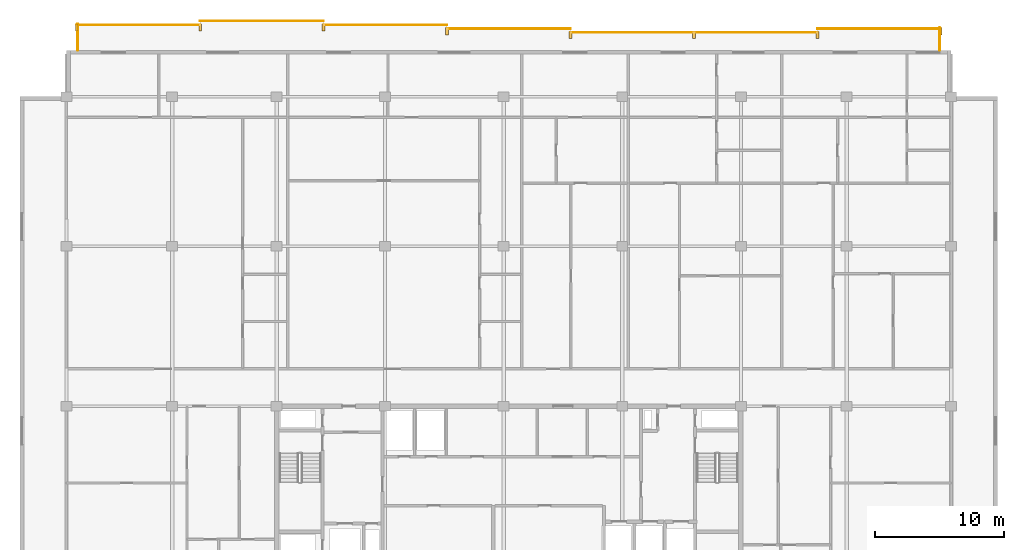
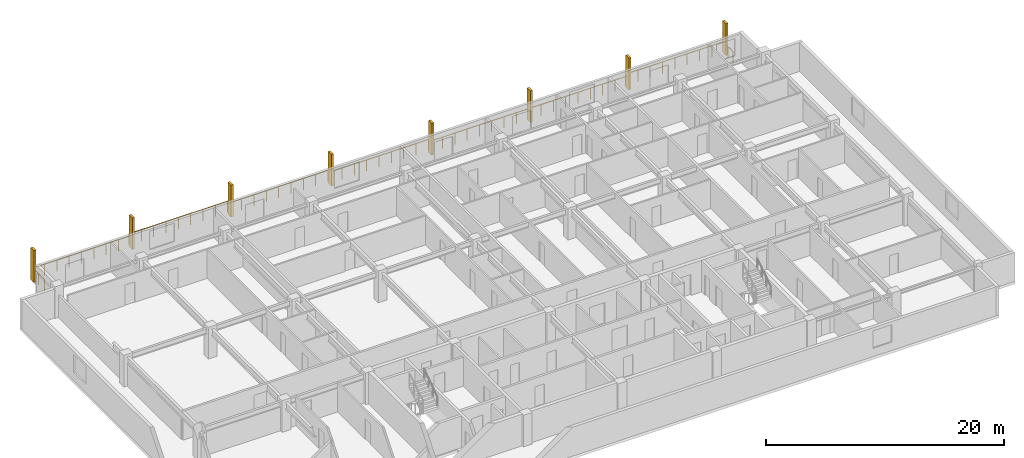
# One storey, part 21 of 21: 8 railings, 8 shading devices.
"""IFC4 building model written with IfcOpenShell, lengths in metres."""

from ifc_helpers import new_model, si_unit, direction, frame, origin, origin_2d, place, context, subcontext, project, spatial, rectangle, circle, extrude, material, type_object, element, save


model = new_model("IFC4")

# Units and contexts
model_context = context("Model", 3, precision=1e-05, world=origin(), true_north=direction((0.0, 1.0)))
body_context = subcontext(model_context, "Body", "Model", "MODEL_VIEW")
ifc_project = project(units=[si_unit("LENGTHUNIT", "METRE"), si_unit("AREAUNIT", "SQUARE_METRE"), si_unit("VOLUMEUNIT", "CUBIC_METRE"), si_unit("PLANEANGLEUNIT", "RADIAN"), si_unit("MASSUNIT", "GRAM", prefix="KILO")], contexts=[model_context])

# Site, building, storey
site_placement = place(None, origin())
site = spatial("IfcSite", under=ifc_project, at=site_placement, CompositionType="ELEMENT")
building_placement = place(site_placement, origin())
building = spatial("IfcBuilding", under=site, at=building_placement, Name="Korimba Cascade Residences", CompositionType="ELEMENT")
storey_placement = place(building_placement, frame((0.0, 0.0, 188.10009765625)))
storey = spatial("IfcBuildingStorey", under=building, at=storey_placement, Name="L54", CompositionType="ELEMENT", Elevation=188.10009765625)

# Railings
ifc_material_1 = material(Name="Laminated Glass and Bronze Balustrade", Category="glass")
railing_type = type_object("IfcRailingType", Name="RLG-LOG-1150", PredefinedType="BALUSTRADE", material=ifc_material_1)
railing_1_placement = place(storey_placement, frame((127.52001953125, 94.800048828125, 0.0)))
element("IfcRailing", 1, at=railing_1_placement, inside=storey, type_object=railing_type, Name="L54 Perimeter Guardrail RLG-L54-T1-LOG-01", PredefinedType="BALUSTRADE", context=body_context, shape_type="SweptSolid", body=[
    extrude(circle(Radius=0.02392578125, at=origin_2d()), frame((0.0, 0.0, 1.1259765625), z_axis=(0.0, 1.0, 0.0), x_axis=(-1.0, 0.0, 0.0)), (0.0, 0.0, 1.0), 1.75),
    extrude(circle(Radius=0.02099609375, at=origin_2d()), origin(), (0.0, 0.0, 1.0), 1.101806640625),
    extrude(circle(Radius=0.02099609375, at=origin_2d()), frame((0.0, 0.875, 0.0)), (0.0, 0.0, 1.0), 1.101806640625),
    extrude(circle(Radius=0.02099609375, at=origin_2d()), frame((0.0, 1.75, 0.0)), (0.0, 0.0, 1.0), 1.101806640625),
])
railing_2_placement = place(storey_placement, frame((127.60009765625, 96.469970703125, 0.0)))
element("IfcRailing", 2, at=railing_2_placement, inside=storey, type_object=railing_type, Name="L54 Perimeter Guardrail RLG-L54-T1-LOG-02", PredefinedType="BALUSTRADE", context=body_context, shape_type="SweptSolid", body=[
    extrude(circle(Radius=0.02392578125, at=origin_2d()), frame((0.0, 0.0, 1.1259765625), z_axis=(-1.0, 0.0, 0.0), x_axis=(0.0, -1.0, 0.0)), (0.0, 0.0, 1.0), 9.571533203125),
    extrude(circle(Radius=0.02099609375, at=origin_2d()), origin(), (0.0, 0.0, 1.0), 1.101806640625),
    extrude(circle(Radius=0.02099609375, at=origin_2d()), frame((-1.196533203125, 0.0, 0.0)), (0.0, 0.0, 1.0), 1.101806640625),
    extrude(circle(Radius=0.02099609375, at=origin_2d()), frame((-2.392822265625, 0.0, 0.0)), (0.0, 0.0, 1.0), 1.101806640625),
    extrude(circle(Radius=0.02099609375, at=origin_2d()), frame((-3.58935546875, 0.0, 0.0)), (0.0, 0.0, 1.0), 1.101806640625),
    extrude(circle(Radius=0.02099609375, at=origin_2d()), frame((-4.78564453125, 0.0, 0.0)), (0.0, 0.0, 1.0), 1.101806640625),
    extrude(circle(Radius=0.02099609375, at=origin_2d()), frame((-5.982177734375, 0.0, 0.0)), (0.0, 0.0, 1.0), 1.101806640625),
    extrude(circle(Radius=0.02099609375, at=origin_2d()), frame((-7.1787109375, 0.0, 0.0)), (0.0, 0.0, 1.0), 1.101806640625),
    extrude(circle(Radius=0.02099609375, at=origin_2d()), frame((-8.375, 0.0, 0.0)), (0.0, 0.0, 1.0), 1.101806640625),
    extrude(circle(Radius=0.02099609375, at=origin_2d()), frame((-9.571533203125, 0.0, 0.0)), (0.0, 0.0, 1.0), 1.101806640625),
])
railing_3_placement = place(storey_placement, frame((118.028564453125, 96.169921875, 0.0)))
element("IfcRailing", 3, at=railing_3_placement, inside=storey, type_object=railing_type, Name="L54 Perimeter Guardrail RLG-L54-T1-LOG-03", PredefinedType="BALUSTRADE", context=body_context, shape_type="SweptSolid", body=[
    extrude(circle(Radius=0.02392578125, at=origin_2d()), frame((0.0, 0.0, 1.1259765625), z_axis=(-1.0, 0.0, 0.0), x_axis=(0.0, -1.0, 0.0)), (0.0, 0.0, 1.0), 19.142822265625),
    extrude(circle(Radius=0.02099609375, at=origin_2d()), origin(), (0.0, 0.0, 1.0), 1.101806640625),
    extrude(circle(Radius=0.02099609375, at=origin_2d()), frame((-1.196533203125, 0.0, 0.0)), (0.0, 0.0, 1.0), 1.101806640625),
    extrude(circle(Radius=0.02099609375, at=origin_2d()), frame((-2.392822265625, 0.0, 0.0)), (0.0, 0.0, 1.0), 1.101806640625),
    extrude(circle(Radius=0.02099609375, at=origin_2d()), frame((-3.58935546875, 0.0, 0.0)), (0.0, 0.0, 1.0), 1.101806640625),
    extrude(circle(Radius=0.02099609375, at=origin_2d()), frame((-4.78564453125, 0.0, 0.0)), (0.0, 0.0, 1.0), 1.101806640625),
    extrude(circle(Radius=0.02099609375, at=origin_2d()), frame((-5.982177734375, 0.0, 0.0)), (0.0, 0.0, 1.0), 1.101806640625),
    extrude(circle(Radius=0.02099609375, at=origin_2d()), frame((-7.178466796875, 0.0, 0.0)), (0.0, 0.0, 1.0), 1.101806640625),
    extrude(circle(Radius=0.02099609375, at=origin_2d()), frame((-8.375, 0.0, 0.0)), (0.0, 0.0, 1.0), 1.101806640625),
    extrude(circle(Radius=0.02099609375, at=origin_2d()), frame((-9.5712890625, 0.0, 0.0)), (0.0, 0.0, 1.0), 1.101806640625),
    extrude(circle(Radius=0.02099609375, at=origin_2d()), frame((-10.767822265625, 0.0, 0.0)), (0.0, 0.0, 1.0), 1.101806640625),
    extrude(circle(Radius=0.02099609375, at=origin_2d()), frame((-11.96435546875, 0.0, 0.0)), (0.0, 0.0, 1.0), 1.101806640625),
    extrude(circle(Radius=0.02099609375, at=origin_2d()), frame((-13.16064453125, 0.0, 0.0)), (0.0, 0.0, 1.0), 1.101806640625),
    extrude(circle(Radius=0.02099609375, at=origin_2d()), frame((-14.357177734375, 0.0, 0.0)), (0.0, 0.0, 1.0), 1.101806640625),
    extrude(circle(Radius=0.02099609375, at=origin_2d()), frame((-15.553466796875, 0.0, 0.0)), (0.0, 0.0, 1.0), 1.101806640625),
    extrude(circle(Radius=0.02099609375, at=origin_2d()), frame((-16.75, 0.0, 0.0)), (0.0, 0.0, 1.0), 1.101806640625),
    extrude(circle(Radius=0.02099609375, at=origin_2d()), frame((-17.9462890625, 0.0, 0.0)), (0.0, 0.0, 1.0), 1.101806640625),
    extrude(circle(Radius=0.02099609375, at=origin_2d()), frame((-19.142822265625, 0.0, 0.0)), (0.0, 0.0, 1.0), 1.101806640625),
])
railing_4_placement = place(storey_placement, frame((98.8857421875, 96.469970703125, 0.0)))
element("IfcRailing", 4, at=railing_4_placement, inside=storey, type_object=railing_type, Name="L54 Perimeter Guardrail RLG-L54-T1-LOG-04", PredefinedType="BALUSTRADE", context=body_context, shape_type="SweptSolid", body=[
    extrude(circle(Radius=0.02392578125, at=origin_2d()), frame((0.0, 0.0, 1.1259765625), z_axis=(-1.0, 0.0, 0.0), x_axis=(0.0, -1.0, 0.0)), (0.0, 0.0, 1.0), 9.571533203125),
    extrude(circle(Radius=0.02099609375, at=origin_2d()), origin(), (0.0, 0.0, 1.0), 1.101806640625),
    extrude(circle(Radius=0.02099609375, at=origin_2d()), frame((-1.196533203125, 0.0, 0.0)), (0.0, 0.0, 1.0), 1.101806640625),
    extrude(circle(Radius=0.02099609375, at=origin_2d()), frame((-2.392822265625, 0.0, 0.0)), (0.0, 0.0, 1.0), 1.101806640625),
    extrude(circle(Radius=0.02099609375, at=origin_2d()), frame((-3.58935546875, 0.0, 0.0)), (0.0, 0.0, 1.0), 1.101806640625),
    extrude(circle(Radius=0.02099609375, at=origin_2d()), frame((-4.78564453125, 0.0, 0.0)), (0.0, 0.0, 1.0), 1.101806640625),
    extrude(circle(Radius=0.02099609375, at=origin_2d()), frame((-5.982177734375, 0.0, 0.0)), (0.0, 0.0, 1.0), 1.101806640625),
    extrude(circle(Radius=0.02099609375, at=origin_2d()), frame((-7.1787109375, 0.0, 0.0)), (0.0, 0.0, 1.0), 1.101806640625),
    extrude(circle(Radius=0.02099609375, at=origin_2d()), frame((-8.375, 0.0, 0.0)), (0.0, 0.0, 1.0), 1.101806640625),
    extrude(circle(Radius=0.02099609375, at=origin_2d()), frame((-9.571533203125, 0.0, 0.0)), (0.0, 0.0, 1.0), 1.101806640625),
])
railing_5_placement = place(storey_placement, frame((89.314208984375, 96.77001953125, 0.0)))
element("IfcRailing", 5, at=railing_5_placement, inside=storey, type_object=railing_type, Name="L54 Perimeter Guardrail RLG-L54-T1-LOG-05", PredefinedType="BALUSTRADE", context=body_context, shape_type="SweptSolid", body=[
    extrude(circle(Radius=0.02392578125, at=origin_2d()), frame((0.0, 0.0, 1.1259765625), z_axis=(-1.0, 0.0, 0.0), x_axis=(0.0, -1.0, 0.0)), (0.0, 0.0, 1.0), 9.5712890625),
    extrude(circle(Radius=0.02099609375, at=origin_2d()), origin(), (0.0, 0.0, 1.0), 1.101806640625),
    extrude(circle(Radius=0.02099609375, at=origin_2d()), frame((-1.1962890625, 0.0, 0.0)), (0.0, 0.0, 1.0), 1.101806640625),
    extrude(circle(Radius=0.02099609375, at=origin_2d()), frame((-2.392822265625, 0.0, 0.0)), (0.0, 0.0, 1.0), 1.101806640625),
    extrude(circle(Radius=0.02099609375, at=origin_2d()), frame((-3.58935546875, 0.0, 0.0)), (0.0, 0.0, 1.0), 1.101806640625),
    extrude(circle(Radius=0.02099609375, at=origin_2d()), frame((-4.78564453125, 0.0, 0.0)), (0.0, 0.0, 1.0), 1.101806640625),
    extrude(circle(Radius=0.02099609375, at=origin_2d()), frame((-5.98193359375, 0.0, 0.0)), (0.0, 0.0, 1.0), 1.101806640625),
    extrude(circle(Radius=0.02099609375, at=origin_2d()), frame((-7.178466796875, 0.0, 0.0)), (0.0, 0.0, 1.0), 1.101806640625),
    extrude(circle(Radius=0.02099609375, at=origin_2d()), frame((-8.375, 0.0, 0.0)), (0.0, 0.0, 1.0), 1.101806640625),
    extrude(circle(Radius=0.02099609375, at=origin_2d()), frame((-9.5712890625, 0.0, 0.0)), (0.0, 0.0, 1.0), 1.101806640625),
])
railing_6_placement = place(storey_placement, frame((79.742919921875, 97.070068359375, 0.0)))
element("IfcRailing", 6, at=railing_6_placement, inside=storey, type_object=railing_type, Name="L54 Perimeter Guardrail RLG-L54-T1-LOG-06", PredefinedType="BALUSTRADE", context=body_context, shape_type="SweptSolid", body=[
    extrude(circle(Radius=0.02392578125, at=origin_2d()), frame((0.0, 0.0, 1.1259765625), z_axis=(-1.0, 0.0, 0.0), x_axis=(0.0, -1.0, 0.0)), (0.0, 0.0, 1.0), 9.571533203125),
    extrude(circle(Radius=0.02099609375, at=origin_2d()), origin(), (0.0, 0.0, 1.0), 1.101806640625),
    extrude(circle(Radius=0.02099609375, at=origin_2d()), frame((-1.196533203125, 0.0, 0.0)), (0.0, 0.0, 1.0), 1.101806640625),
    extrude(circle(Radius=0.02099609375, at=origin_2d()), frame((-2.392822265625, 0.0, 0.0)), (0.0, 0.0, 1.0), 1.101806640625),
    extrude(circle(Radius=0.02099609375, at=origin_2d()), frame((-3.58935546875, 0.0, 0.0)), (0.0, 0.0, 1.0), 1.101806640625),
    extrude(circle(Radius=0.02099609375, at=origin_2d()), frame((-4.78564453125, 0.0, 0.0)), (0.0, 0.0, 1.0), 1.101806640625),
    extrude(circle(Radius=0.02099609375, at=origin_2d()), frame((-5.982177734375, 0.0, 0.0)), (0.0, 0.0, 1.0), 1.101806640625),
    extrude(circle(Radius=0.02099609375, at=origin_2d()), frame((-7.1787109375, 0.0, 0.0)), (0.0, 0.0, 1.0), 1.101806640625),
    extrude(circle(Radius=0.02099609375, at=origin_2d()), frame((-8.375, 0.0, 0.0)), (0.0, 0.0, 1.0), 1.101806640625),
    extrude(circle(Radius=0.02099609375, at=origin_2d()), frame((-9.571533203125, 0.0, 0.0)), (0.0, 0.0, 1.0), 1.101806640625),
])
railing_7_placement = place(storey_placement, frame((70.17138671875, 96.77001953125, 0.0)))
element("IfcRailing", 7, at=railing_7_placement, inside=storey, type_object=railing_type, Name="L54 Perimeter Guardrail RLG-L54-T1-LOG-07", PredefinedType="BALUSTRADE", context=body_context, shape_type="SweptSolid", body=[
    extrude(circle(Radius=0.02392578125, at=origin_2d()), frame((0.0, 0.0, 1.1259765625), z_axis=(-1.0, 0.0, 0.0), x_axis=(0.0, -1.0, 0.0)), (0.0, 0.0, 1.0), 9.5712890625),
    extrude(circle(Radius=0.02099609375, at=origin_2d()), origin(), (0.0, 0.0, 1.0), 1.101806640625),
    extrude(circle(Radius=0.02099609375, at=origin_2d()), frame((-1.1962890625, 0.0, 0.0)), (0.0, 0.0, 1.0), 1.101806640625),
    extrude(circle(Radius=0.02099609375, at=origin_2d()), frame((-2.392822265625, 0.0, 0.0)), (0.0, 0.0, 1.0), 1.101806640625),
    extrude(circle(Radius=0.02099609375, at=origin_2d()), frame((-3.58935546875, 0.0, 0.0)), (0.0, 0.0, 1.0), 1.101806640625),
    extrude(circle(Radius=0.02099609375, at=origin_2d()), frame((-4.78564453125, 0.0, 0.0)), (0.0, 0.0, 1.0), 1.101806640625),
    extrude(circle(Radius=0.02099609375, at=origin_2d()), frame((-5.98193359375, 0.0, 0.0)), (0.0, 0.0, 1.0), 1.101806640625),
    extrude(circle(Radius=0.02099609375, at=origin_2d()), frame((-7.178466796875, 0.0, 0.0)), (0.0, 0.0, 1.0), 1.101806640625),
    extrude(circle(Radius=0.02099609375, at=origin_2d()), frame((-8.375, 0.0, 0.0)), (0.0, 0.0, 1.0), 1.101806640625),
    extrude(circle(Radius=0.02099609375, at=origin_2d()), frame((-9.5712890625, 0.0, 0.0)), (0.0, 0.0, 1.0), 1.101806640625),
])
railing_8_placement = place(storey_placement, frame((60.679931640625, 96.85009765625, 0.0)))
element("IfcRailing", 8, at=railing_8_placement, inside=storey, type_object=railing_type, Name="L54 Perimeter Guardrail RLG-L54-T1-LOG-08", PredefinedType="BALUSTRADE", context=body_context, shape_type="SweptSolid", body=[
    extrude(circle(Radius=0.02392578125, at=origin_2d()), frame((0.0, 0.0, 1.1259765625), z_axis=(0.0, -1.0, 0.0), x_axis=(1.0, 0.0, 0.0)), (0.0, 0.0, 1.0), 2.050048828125),
    extrude(circle(Radius=0.02099609375, at=origin_2d()), origin(), (0.0, 0.0, 1.0), 1.101806640625),
    extrude(circle(Radius=0.02099609375, at=origin_2d()), frame((0.0, -1.02490234375, 0.0)), (0.0, 0.0, 1.0), 1.101806640625),
    extrude(circle(Radius=0.02099609375, at=origin_2d()), frame((0.0, -2.050048828125, 0.0)), (0.0, 0.0, 1.0), 1.101806640625),
])

# Shading devices
ifc_material_2 = material(Name="Honed Sandstone Precast Fin", Category="masonry")
shading_device_type = type_object("IfcShadingDeviceType", Name="SHD-FIN-550", PredefinedType="USERDEFINED", material=ifc_material_2)
for number, where, z_axis, x_axis, name in (
    (9, (60.60009765625, 96.574951171875, 0.0), (0.0, 0.0, 1.0), (1.0, 0.0, 0.0), "L54 T1 Warm-Stone Loggia Fin 1"),
    (10, (70.17138671875, 96.574951171875, 0.0), (0.0, 0.0, 1.0), (1.0, 0.0, 0.0), "L54 T1 Warm-Stone Loggia Fin 2"),
    (11, (79.742919921875, 96.574951171875, 0.0), (0.0, 0.0, 1.0), (1.0, 0.0, 0.0), "L54 T1 Warm-Stone Loggia Fin 3"),
    (12, (89.314208984375, 96.27490234375, 0.0), (0.0, 0.0, 1.0), (1.0, 0.0, 0.0), "L54 T1 Warm-Stone Loggia Fin 4"),
    (13, (98.8857421875, 95.97509765625, 0.0), (0.0, 0.0, 1.0), (1.0, 0.0, 0.0), "L54 T1 Warm-Stone Loggia Fin 5"),
    (14, (108.45703125, 95.97509765625, 0.0), (0.0, 0.0, 1.0), (1.0, 0.0, 0.0), "L54 T1 Warm-Stone Loggia Fin 6"),
    (15, (118.028564453125, 95.97509765625, 0.0), (0.0, 0.0, 1.0), (1.0, 0.0, 0.0), "L54 T1 Warm-Stone Loggia Fin 7"),
    (16, (127.60009765625, 96.27490234375, 0.0), (0.0, 0.0, 1.0), (1.0, 0.0, 0.0), "L54 T1 Warm-Stone Loggia Fin 8"),
):
    element("IfcShadingDevice", number, at=place(storey_placement, frame(where, z_axis=z_axis, x_axis=x_axis)), inside=storey, type_object=shading_device_type, Name=name, ObjectType="FIN", PredefinedType="USERDEFINED", context=body_context, shape_type="SweptSolid", body=[
        extrude(rectangle(XDim=0.219970703125, YDim=0.550048828125, at=origin_2d()), origin(), (0.0, 0.0, 1.0), 3.25),
    ])

save(model, "model.ifc")
